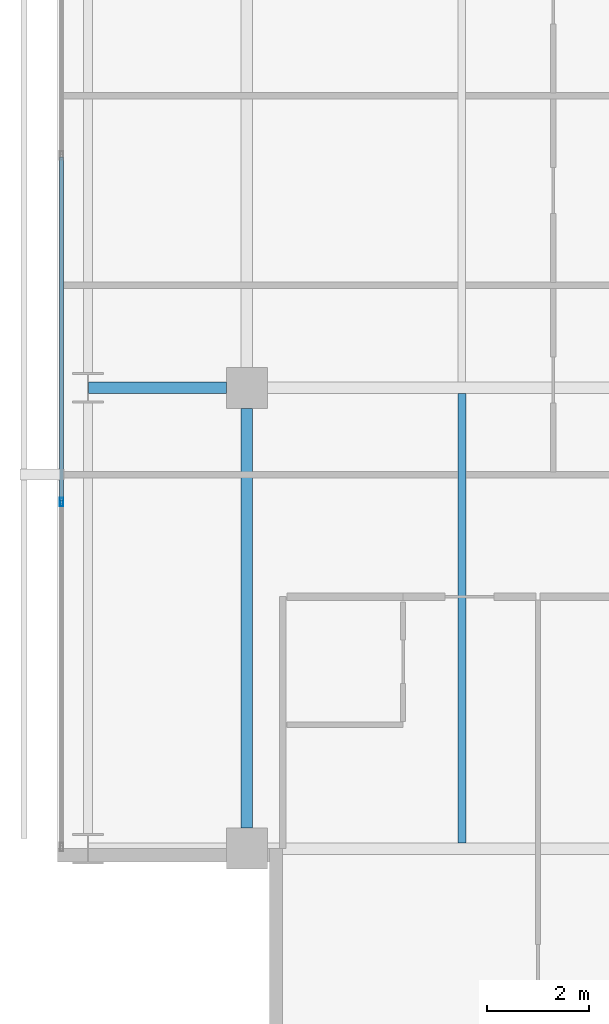
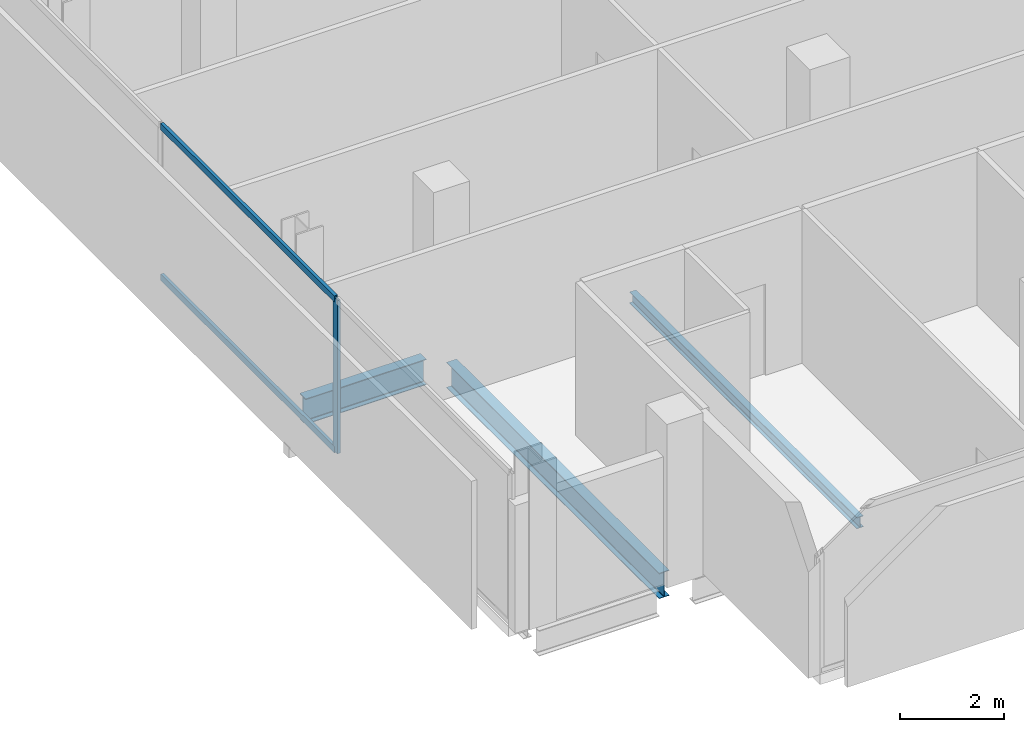
# One storey, part 4 of 34: 3 beams, 3 members, 1 element without a shape of its own.
"""IFC4 building model written with IfcOpenShell, lengths in metres."""

from ifc_helpers import new_model, si_unit, direction, frame, origin, origin_2d, place, context, subcontext, project, spatial, hollow_rectangle, i_section, extrude, material, layer, layer_set, material_profile, profile_set, type_object, element, aggregate, save


model = new_model("IFC4")

# Units and contexts
model_context = context("Model", 3, precision=1e-05, world=origin(), true_north=direction((0.0, 1.0)))
body_context = subcontext(model_context, "Body", "Model", "MODEL_VIEW")
ifc_project = project(units=[si_unit("LENGTHUNIT", "METRE"), si_unit("AREAUNIT", "SQUARE_METRE"), si_unit("VOLUMEUNIT", "CUBIC_METRE"), si_unit("PLANEANGLEUNIT", "RADIAN"), si_unit("MASSUNIT", "GRAM", prefix="KILO")], contexts=[model_context])

# Site, building, storey
site_placement = place(None, origin())
site = spatial("IfcSite", under=ifc_project, at=site_placement, CompositionType="ELEMENT")
building_placement = place(site_placement, origin())
building = spatial("IfcBuilding", under=site, at=building_placement, Name="Maruvema Waterfront Hotel and Observation Tower", CompositionType="ELEMENT")
storey_placement = place(building_placement, frame((0.0, 0.0, 185.14990234375)))
storey = spatial("IfcBuildingStorey", under=building, at=storey_placement, Name="L45", CompositionType="ELEMENT", Elevation=185.14990234375)

# Curtain wall, members
ifc_material_1 = material(Name="Anodised bronze aluminium and solar-control low-E IGU", Category="aluminium")
ifc_layer = layer(ifc_material_1, 0.159912109375, Name="Zone 2 Amber Inner Thermal Curtain Wall System CW-03")
ifc_layer_set = layer_set([ifc_layer], Name="Anodised bronze aluminium and solar-control low-E IGU")
curtain_wall_type = type_object("IfcCurtainWallType", Name="Zone 2 Amber Inner Thermal Curtain Wall System CW-03", PredefinedType="USERDEFINED", material=ifc_layer_set)
curtain_wall_placement = place(storey_placement, origin())
curtain_wall = element("IfcCurtainWall", 1, at=curtain_wall_placement, inside=storey, type_object=curtain_wall_type, Name="L45 Curtain Wall CW-L45-W", ObjectType="UNITISED CURTAIN WALL", PredefinedType="USERDEFINED")
ifc_material_2 = material(Name="Anodised architectural bronze aluminium", Category="aluminium")
ifc_material_profile_1 = material_profile(ifc_material_2, hollow_rectangle(XDim=0.070068359375, YDim=0.14990234375, WallThickness=0.00390625, at=origin_2d()), Name="ALU-T70x150")
ifc_profile_set_1 = profile_set([ifc_material_profile_1], Name="Anodised architectural bronze aluminium")
member_type_1 = type_object("IfcMemberType", Name="Curtain Wall Horizontal Transom ALU-T70x150", PredefinedType="USERDEFINED", material=ifc_profile_set_1)
member_1_placement = place(storey_placement, frame((13.179931640625, 22.50341796875, 0.030029296875), z_axis=(0.0, -1.0, 0.0), x_axis=(1.0, 0.0, 0.0)))
member_1 = element("IfcMember", 2, at=member_1_placement, type_object=member_type_1, Name="CW-03 transom 5.1", ObjectType="TRANSOM", PredefinedType="USERDEFINED", context=body_context, shape_type="SweptSolid", body=[
    extrude(hollow_rectangle(XDim=0.070068359375, YDim=0.14990234375, WallThickness=0.00390625, at=origin_2d()), origin(), (0.0, 0.0, 1.0), 6.706787109375),
])
member_2_placement = place(storey_placement, frame((13.179931640625, 22.50341796875, 3.580078125), z_axis=(0.0, -1.0, 0.0), x_axis=(1.0, 0.0, 0.0)))
member_2 = element("IfcMember", 3, at=member_2_placement, type_object=member_type_1, Name="CW-03 transom 5.2", ObjectType="TRANSOM", PredefinedType="USERDEFINED", context=body_context, shape_type="SweptSolid", body=[
    extrude(hollow_rectangle(XDim=0.070068359375, YDim=0.14990234375, WallThickness=0.00390625, at=origin_2d()), origin(), (0.0, 0.0, 1.0), 6.706787109375),
])
ifc_material_3 = material(Name="Anodised architectural bronze aluminium", Category="aluminium")
ifc_material_profile_2 = material_profile(ifc_material_3, hollow_rectangle(XDim=0.06494140625, YDim=0.1650390625, WallThickness=0.00390625, at=origin_2d()), Name="ALU-M65x165")
ifc_profile_set_2 = profile_set([ifc_material_profile_2], Name="Anodised architectural bronze aluminium")
member_type_2 = type_object("IfcMemberType", Name="Curtain Wall Primary Mullion ALU-M65x165", PredefinedType="MULLION", material=ifc_profile_set_2)
member_3_placement = place(storey_placement, frame((13.179931640625, 15.7666015625, 0.0), z_axis=(0.0, 0.0, 1.0), x_axis=(1.0, 0.0, 0.0)))
member_3 = element("IfcMember", 4, at=member_3_placement, type_object=member_type_2, Name="CW-03 mullion 6", PredefinedType="MULLION", context=body_context, shape_type="SweptSolid", body=[
    extrude(hollow_rectangle(XDim=0.06494140625, YDim=0.1650390625, WallThickness=0.00390625, at=origin_2d()), origin(), (0.0, 0.0, 1.0), 3.610107421875),
])
aggregate(curtain_wall, [member_3, member_1, member_2])

# Beams
ifc_material_4 = material(Name="Steel ASTM A572 Grade 50", Category="steel")
ifc_material_profile_3 = material_profile(ifc_material_4, i_section(OverallWidth=0.22802734375, OverallDepth=0.60302734375, WebThickness=0.010498046875, FlangeThickness=0.014892578125, FilletRadius=0.01806640625, at=origin_2d()), Name="W610x101.0")
ifc_profile_set_3 = profile_set([ifc_material_profile_3], Name="Steel ASTM A572 Grade 50")
beam_type_1 = type_object("IfcBeamType", Name="Primary Floor Girder W610x101.0", PredefinedType="BEAM", material=ifc_profile_set_3)
beam_1_placement = place(storey_placement, frame((13.71240234375, 18.0, -0.54150390625), z_axis=(1.0, 0.0, 0.0), x_axis=(0.0, 1.0, 0.0)))
element("IfcBeam", 5, at=beam_1_placement, inside=storey, type_object=beam_type_1, Name="L45 Floor Girder EW-11", PredefinedType="BEAM", context=body_context, shape_type="SweptSolid", body=[
    extrude(i_section(OverallWidth=0.22802734375, OverallDepth=0.60302734375, WebThickness=0.010498046875, FlangeThickness=0.014892578125, FilletRadius=0.01806640625, at=origin_2d()), origin(), (0.0, 0.0, 1.0), 2.6875),
])
beam_2_placement = place(storey_placement, frame((16.800048828125, 9.39990234375, -0.54150390625), z_axis=(0.0, 1.0, 0.0), x_axis=(-1.0, 0.0, 0.0)))
element("IfcBeam", 6, at=beam_2_placement, inside=storey, type_object=beam_type_1, Name="L45 Floor Girder NS-05", PredefinedType="BEAM", context=body_context, shape_type="SweptSolid", body=[
    extrude(i_section(OverallWidth=0.22802734375, OverallDepth=0.60302734375, WebThickness=0.010498046875, FlangeThickness=0.014892578125, FilletRadius=0.01806640625, at=origin_2d()), origin(), (0.0, 0.0, 1.0), 8.2001953125),
])
ifc_material_5 = material(Name="Steel ASTM A572 Grade 50", Category="steel")
ifc_material_profile_4 = material_profile(ifc_material_5, i_section(OverallWidth=0.14794921875, OverallDepth=0.26611328125, WebThickness=0.007568359375, FlangeThickness=0.012939453125, FilletRadius=0.012939453125, at=origin_2d()), Name="W250x44.8")
ifc_profile_set_4 = profile_set([ifc_material_profile_4], Name="Steel ASTM A572 Grade 50")
beam_type_2 = type_object("IfcBeamType", Name="Secondary Floor Joist W250x44.8", PredefinedType="JOIST", material=ifc_profile_set_4)
beam_3_placement = place(storey_placement, frame((21.0, 9.114013671875, -0.372802734375), z_axis=(0.0, 1.0, 0.0), x_axis=(-1.0, 0.0, 0.0)))
element("IfcBeam", 7, at=beam_3_placement, inside=storey, type_object=beam_type_2, Name="L45 Secondary Floor Joist JS-01", PredefinedType="JOIST", context=body_context, shape_type="SweptSolid", body=[
    extrude(i_section(OverallWidth=0.14794921875, OverallDepth=0.26611328125, WebThickness=0.007568359375, FlangeThickness=0.012939453125, FilletRadius=0.012939453125, at=origin_2d()), origin(), (0.0, 0.0, 1.0), 8.77197265625),
])

save(model, "model.ifc")
